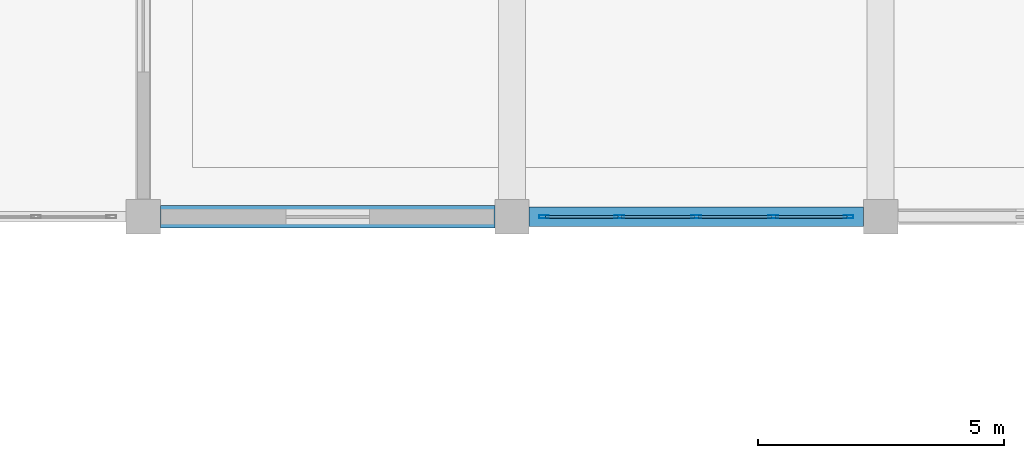
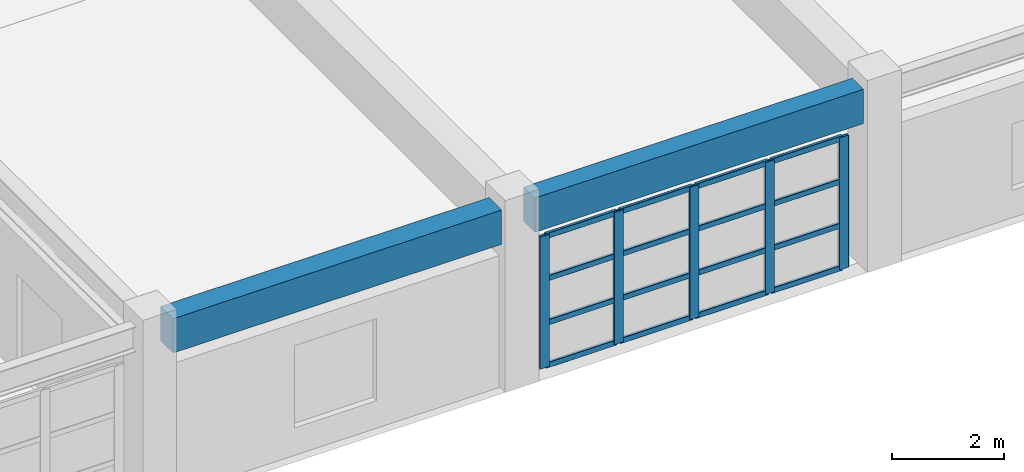
# One storey, part 73 of 132: 21 members, 2 beams, 1 element without a shape of its own.
"""IFC4 building model written with IfcOpenShell, lengths in metres."""

from ifc_helpers import new_model, si_unit, direction, frame, origin, origin_2d, place, context, subcontext, project, spatial, rectangle, hollow_rectangle, extrude, material, material_profile, profile_set, type_object, element, aggregate, save


model = new_model("IFC4")

# Units and contexts
model_context = context("Model", 3, precision=1e-05, world=origin(), true_north=direction((0.0, 1.0)))
body_context = subcontext(model_context, "Body", "Model", "MODEL_VIEW")
ifc_project = project(units=[si_unit("LENGTHUNIT", "METRE"), si_unit("AREAUNIT", "SQUARE_METRE"), si_unit("VOLUMEUNIT", "CUBIC_METRE"), si_unit("PLANEANGLEUNIT", "RADIAN"), si_unit("MASSUNIT", "GRAM", prefix="KILO")], contexts=[model_context])

# Site, building, storey
site_placement = place(None, origin())
site = spatial("IfcSite", under=ifc_project, at=site_placement, CompositionType="ELEMENT")
building_placement = place(site_placement, origin())
building = spatial("IfcBuilding", under=site, at=building_placement, Name="Qasida Concert Hall", CompositionType="ELEMENT")
storey_placement = place(building_placement, frame((0.0, 0.0, 4.800048828125)))
storey = spatial("IfcBuildingStorey", under=building, at=storey_placement, Name="L01", CompositionType="ELEMENT", Elevation=4.800048828125)

# Beams
ifc_material_1 = material(Name="Concrete C40/50", Category="concrete")
ifc_material_profile_1 = material_profile(ifc_material_1, rectangle(XDim=0.39990234375, YDim=0.75, at=origin_2d()), Name="RC 400x750")
ifc_profile_set_1 = profile_set([ifc_material_profile_1], Name="Concrete C40/50")
beam_type_1 = type_object("IfcBeamType", Name="BM-SP1", PredefinedType="SPANDREL", material=ifc_profile_set_1)
beam_1_placement = place(storey_placement, frame((135.35009765625, 75.0, 3.544921875), z_axis=(1.0, 0.0, 0.0), x_axis=(0.0, 1.0, 0.0)))
element("IfcBeam", 1, at=beam_1_placement, inside=storey, type_object=beam_type_1, Name="Primary girder 0979", PredefinedType="SPANDREL", context=body_context, shape_type="SweptSolid", body=[
    extrude(rectangle(XDim=0.39990234375, YDim=0.75, at=origin_2d()), origin(), (0.0, 0.0, 1.0), 6.7998046875),
])
ifc_material_profile_2 = material_profile(ifc_material_1, rectangle(XDim=0.449951171875, YDim=0.75, at=origin_2d()), Name="RC 450x750")
ifc_profile_set_2 = profile_set([ifc_material_profile_2], Name="Concrete C40/50")
beam_type_2 = type_object("IfcBeamType", Name="BM-SP4", PredefinedType="SPANDREL", material=ifc_profile_set_2)
beam_2_placement = place(storey_placement, frame((127.85009765625, 75.0, 3.544921875), z_axis=(1.0, 0.0, 0.0), x_axis=(0.0, 1.0, 0.0)))
element("IfcBeam", 2, at=beam_2_placement, inside=storey, type_object=beam_type_2, Name="Primary girder 0978", PredefinedType="SPANDREL", context=body_context, shape_type="SweptSolid", body=[
    extrude(rectangle(XDim=0.449951171875, YDim=0.75, at=origin_2d()), origin(), (0.0, 0.0, 1.0), 6.7998046875),
])

# Curtain wall, members
ifc_material_2 = material(Name="Architectural bronze-anodized aluminium and low-E glass", Category="aluminium")
curtain_wall_type = type_object("IfcCurtainWallType", Name="CW-03", PredefinedType="NOTDEFINED", material=ifc_material_2)
curtain_wall_placement = place(storey_placement, origin())
curtain_wall = element("IfcCurtainWall", 3, at=curtain_wall_placement, inside=storey, type_object=curtain_wall_type, Name="L01 curtain wall CW-03 0162", PredefinedType="NOTDEFINED")
ifc_material_3 = material(Name="Architectural bronze-anodized aluminium EN AW-6063", Category="aluminium")
ifc_material_profile_3 = material_profile(ifc_material_3, hollow_rectangle(XDim=0.06494140625, YDim=0.199951171875, WallThickness=0.0048828125, InnerFilletRadius=0.0048828125, OuterFilletRadius=0.010009765625, at=origin_2d()), Name="CWM 200x65x5")
ifc_profile_set_3 = profile_set([ifc_material_profile_3], Name="Architectural bronze-anodized aluminium EN AW-6063")
member_type_1 = type_object("IfcMemberType", Name="MB-CWM-2", PredefinedType="MULLION", material=ifc_profile_set_3)
member_1_placement = place(storey_placement, frame((135.652587890625, 75.0, 0.0), z_axis=(0.0, 0.0, 1.0), x_axis=(0.0, 1.0, 0.0)))
member_1 = element("IfcMember", 4, at=member_1_placement, type_object=member_type_1, Name="CW-03 mullion 1", PredefinedType="MULLION", context=body_context, shape_type="SweptSolid", body=[
    extrude(hollow_rectangle(XDim=0.06494140625, YDim=0.199951171875, WallThickness=0.0048828125, InnerFilletRadius=0.0048828125, OuterFilletRadius=0.010009765625, at=origin_2d()), origin(), (0.0, 0.0, 1.0), 2.889892578125),
])
member_2_placement = place(storey_placement, frame((137.18505859375, 75.0, 0.0), z_axis=(0.0, 0.0, 1.0), x_axis=(0.0, 1.0, 0.0)))
member_2 = element("IfcMember", 5, at=member_2_placement, type_object=member_type_1, Name="CW-03 mullion 2", PredefinedType="MULLION", context=body_context, shape_type="SweptSolid", body=[
    extrude(hollow_rectangle(XDim=0.06494140625, YDim=0.199951171875, WallThickness=0.0048828125, InnerFilletRadius=0.0048828125, OuterFilletRadius=0.010009765625, at=origin_2d()), origin(), (0.0, 0.0, 1.0), 2.889892578125),
])
member_3_placement = place(storey_placement, frame((138.75, 75.0, 0.0), z_axis=(0.0, 0.0, 1.0), x_axis=(0.0, 1.0, 0.0)))
member_3 = element("IfcMember", 6, at=member_3_placement, type_object=member_type_1, Name="CW-03 mullion 3", PredefinedType="MULLION", context=body_context, shape_type="SweptSolid", body=[
    extrude(hollow_rectangle(XDim=0.06494140625, YDim=0.199951171875, WallThickness=0.0048828125, InnerFilletRadius=0.0048828125, OuterFilletRadius=0.010009765625, at=origin_2d()), origin(), (0.0, 0.0, 1.0), 2.889892578125),
])
member_4_placement = place(storey_placement, frame((140.31494140625, 75.0, 0.0), z_axis=(0.0, 0.0, 1.0), x_axis=(0.0, 1.0, 0.0)))
member_4 = element("IfcMember", 7, at=member_4_placement, type_object=member_type_1, Name="CW-03 mullion 4", PredefinedType="MULLION", context=body_context, shape_type="SweptSolid", body=[
    extrude(hollow_rectangle(XDim=0.06494140625, YDim=0.199951171875, WallThickness=0.0048828125, InnerFilletRadius=0.0048828125, OuterFilletRadius=0.010009765625, at=origin_2d()), origin(), (0.0, 0.0, 1.0), 2.889892578125),
])
member_5_placement = place(storey_placement, frame((141.847412109375, 75.0, 0.0), z_axis=(0.0, 0.0, 1.0), x_axis=(0.0, 1.0, 0.0)))
member_5 = element("IfcMember", 8, at=member_5_placement, type_object=member_type_1, Name="CW-03 mullion 5", PredefinedType="MULLION", context=body_context, shape_type="SweptSolid", body=[
    extrude(hollow_rectangle(XDim=0.06494140625, YDim=0.199951171875, WallThickness=0.0048828125, InnerFilletRadius=0.0048828125, OuterFilletRadius=0.010009765625, at=origin_2d()), origin(), (0.0, 0.0, 1.0), 2.889892578125),
])
ifc_material_profile_4 = material_profile(ifc_material_3, hollow_rectangle(XDim=0.06005859375, YDim=0.1201171875, WallThickness=0.00390625, InnerFilletRadius=0.00390625, OuterFilletRadius=0.008056640625, at=origin_2d()), Name="CWT 120x60x4")
ifc_profile_set_4 = profile_set([ifc_material_profile_4], Name="Architectural bronze-anodized aluminium EN AW-6063")
member_type_2 = type_object("IfcMemberType", Name="MB-CWT-2", PredefinedType="USERDEFINED", material=ifc_profile_set_4)
member_6_placement = place(storey_placement, frame((135.68505859375, 75.0, 0.030029296875), z_axis=(1.0, 0.0, 0.0), x_axis=(0.0, 1.0, 0.0)))
member_6 = element("IfcMember", 9, at=member_6_placement, type_object=member_type_2, Name="CW-03 transom 1.1", ObjectType="TRANSOM", PredefinedType="USERDEFINED", context=body_context, shape_type="SweptSolid", body=[
    extrude(hollow_rectangle(XDim=0.06005859375, YDim=0.1201171875, WallThickness=0.00390625, InnerFilletRadius=0.00390625, OuterFilletRadius=0.008056640625, at=origin_2d()), origin(), (0.0, 0.0, 1.0), 1.467529296875),
])
member_7_placement = place(storey_placement, frame((135.68505859375, 75.0, 0.963134765625), z_axis=(1.0, 0.0, 0.0), x_axis=(0.0, 1.0, 0.0)))
member_7 = element("IfcMember", 10, at=member_7_placement, type_object=member_type_2, Name="CW-03 transom 1.2", ObjectType="TRANSOM", PredefinedType="USERDEFINED", context=body_context, shape_type="SweptSolid", body=[
    extrude(hollow_rectangle(XDim=0.06005859375, YDim=0.1201171875, WallThickness=0.00390625, InnerFilletRadius=0.00390625, OuterFilletRadius=0.008056640625, at=origin_2d()), origin(), (0.0, 0.0, 1.0), 1.467529296875),
])
member_8_placement = place(storey_placement, frame((135.68505859375, 75.0, 1.9267578125), z_axis=(1.0, 0.0, 0.0), x_axis=(0.0, 1.0, 0.0)))
member_8 = element("IfcMember", 11, at=member_8_placement, type_object=member_type_2, Name="CW-03 transom 1.3", ObjectType="TRANSOM", PredefinedType="USERDEFINED", context=body_context, shape_type="SweptSolid", body=[
    extrude(hollow_rectangle(XDim=0.06005859375, YDim=0.1201171875, WallThickness=0.00390625, InnerFilletRadius=0.00390625, OuterFilletRadius=0.008056640625, at=origin_2d()), origin(), (0.0, 0.0, 1.0), 1.467529296875),
])
member_9_placement = place(storey_placement, frame((135.68505859375, 75.0, 2.85986328125), z_axis=(1.0, 0.0, 0.0), x_axis=(0.0, 1.0, 0.0)))
member_9 = element("IfcMember", 12, at=member_9_placement, type_object=member_type_2, Name="CW-03 transom 1.4", ObjectType="TRANSOM", PredefinedType="USERDEFINED", context=body_context, shape_type="SweptSolid", body=[
    extrude(hollow_rectangle(XDim=0.06005859375, YDim=0.1201171875, WallThickness=0.00390625, InnerFilletRadius=0.00390625, OuterFilletRadius=0.008056640625, at=origin_2d()), origin(), (0.0, 0.0, 1.0), 1.467529296875),
])
member_10_placement = place(storey_placement, frame((137.217529296875, 75.0, 0.030029296875), z_axis=(1.0, 0.0, 0.0), x_axis=(0.0, 1.0, 0.0)))
member_10 = element("IfcMember", 13, at=member_10_placement, type_object=member_type_2, Name="CW-03 transom 2.1", ObjectType="TRANSOM", PredefinedType="USERDEFINED", context=body_context, shape_type="SweptSolid", body=[
    extrude(hollow_rectangle(XDim=0.06005859375, YDim=0.1201171875, WallThickness=0.00390625, InnerFilletRadius=0.00390625, OuterFilletRadius=0.008056640625, at=origin_2d()), origin(), (0.0, 0.0, 1.0), 1.5),
])
member_11_placement = place(storey_placement, frame((137.217529296875, 75.0, 0.963134765625), z_axis=(1.0, 0.0, 0.0), x_axis=(0.0, 1.0, 0.0)))
member_11 = element("IfcMember", 14, at=member_11_placement, type_object=member_type_2, Name="CW-03 transom 2.2", ObjectType="TRANSOM", PredefinedType="USERDEFINED", context=body_context, shape_type="SweptSolid", body=[
    extrude(hollow_rectangle(XDim=0.06005859375, YDim=0.1201171875, WallThickness=0.00390625, InnerFilletRadius=0.00390625, OuterFilletRadius=0.008056640625, at=origin_2d()), origin(), (0.0, 0.0, 1.0), 1.5),
])
member_12_placement = place(storey_placement, frame((137.217529296875, 75.0, 1.9267578125), z_axis=(1.0, 0.0, 0.0), x_axis=(0.0, 1.0, 0.0)))
member_12 = element("IfcMember", 15, at=member_12_placement, type_object=member_type_2, Name="CW-03 transom 2.3", ObjectType="TRANSOM", PredefinedType="USERDEFINED", context=body_context, shape_type="SweptSolid", body=[
    extrude(hollow_rectangle(XDim=0.06005859375, YDim=0.1201171875, WallThickness=0.00390625, InnerFilletRadius=0.00390625, OuterFilletRadius=0.008056640625, at=origin_2d()), origin(), (0.0, 0.0, 1.0), 1.5),
])
member_13_placement = place(storey_placement, frame((137.217529296875, 75.0, 2.85986328125), z_axis=(1.0, 0.0, 0.0), x_axis=(0.0, 1.0, 0.0)))
member_13 = element("IfcMember", 16, at=member_13_placement, type_object=member_type_2, Name="CW-03 transom 2.4", ObjectType="TRANSOM", PredefinedType="USERDEFINED", context=body_context, shape_type="SweptSolid", body=[
    extrude(hollow_rectangle(XDim=0.06005859375, YDim=0.1201171875, WallThickness=0.00390625, InnerFilletRadius=0.00390625, OuterFilletRadius=0.008056640625, at=origin_2d()), origin(), (0.0, 0.0, 1.0), 1.5),
])
member_14_placement = place(storey_placement, frame((138.782470703125, 75.0, 0.030029296875), z_axis=(1.0, 0.0, 0.0), x_axis=(0.0, 1.0, 0.0)))
member_14 = element("IfcMember", 17, at=member_14_placement, type_object=member_type_2, Name="CW-03 transom 3.1", ObjectType="TRANSOM", PredefinedType="USERDEFINED", context=body_context, shape_type="SweptSolid", body=[
    extrude(hollow_rectangle(XDim=0.06005859375, YDim=0.1201171875, WallThickness=0.00390625, InnerFilletRadius=0.00390625, OuterFilletRadius=0.008056640625, at=origin_2d()), origin(), (0.0, 0.0, 1.0), 1.5),
])
member_15_placement = place(storey_placement, frame((138.782470703125, 75.0, 0.963134765625), z_axis=(1.0, 0.0, 0.0), x_axis=(0.0, 1.0, 0.0)))
member_15 = element("IfcMember", 18, at=member_15_placement, type_object=member_type_2, Name="CW-03 transom 3.2", ObjectType="TRANSOM", PredefinedType="USERDEFINED", context=body_context, shape_type="SweptSolid", body=[
    extrude(hollow_rectangle(XDim=0.06005859375, YDim=0.1201171875, WallThickness=0.00390625, InnerFilletRadius=0.00390625, OuterFilletRadius=0.008056640625, at=origin_2d()), origin(), (0.0, 0.0, 1.0), 1.5),
])
member_16_placement = place(storey_placement, frame((138.782470703125, 75.0, 1.9267578125), z_axis=(1.0, 0.0, 0.0), x_axis=(0.0, 1.0, 0.0)))
member_16 = element("IfcMember", 19, at=member_16_placement, type_object=member_type_2, Name="CW-03 transom 3.3", ObjectType="TRANSOM", PredefinedType="USERDEFINED", context=body_context, shape_type="SweptSolid", body=[
    extrude(hollow_rectangle(XDim=0.06005859375, YDim=0.1201171875, WallThickness=0.00390625, InnerFilletRadius=0.00390625, OuterFilletRadius=0.008056640625, at=origin_2d()), origin(), (0.0, 0.0, 1.0), 1.5),
])
member_17_placement = place(storey_placement, frame((138.782470703125, 75.0, 2.85986328125), z_axis=(1.0, 0.0, 0.0), x_axis=(0.0, 1.0, 0.0)))
member_17 = element("IfcMember", 20, at=member_17_placement, type_object=member_type_2, Name="CW-03 transom 3.4", ObjectType="TRANSOM", PredefinedType="USERDEFINED", context=body_context, shape_type="SweptSolid", body=[
    extrude(hollow_rectangle(XDim=0.06005859375, YDim=0.1201171875, WallThickness=0.00390625, InnerFilletRadius=0.00390625, OuterFilletRadius=0.008056640625, at=origin_2d()), origin(), (0.0, 0.0, 1.0), 1.5),
])
member_18_placement = place(storey_placement, frame((140.347412109375, 75.0, 0.030029296875), z_axis=(1.0, 0.0, 0.0), x_axis=(0.0, 1.0, 0.0)))
member_18 = element("IfcMember", 21, at=member_18_placement, type_object=member_type_2, Name="CW-03 transom 4.1", ObjectType="TRANSOM", PredefinedType="USERDEFINED", context=body_context, shape_type="SweptSolid", body=[
    extrude(hollow_rectangle(XDim=0.06005859375, YDim=0.1201171875, WallThickness=0.00390625, InnerFilletRadius=0.00390625, OuterFilletRadius=0.008056640625, at=origin_2d()), origin(), (0.0, 0.0, 1.0), 1.467529296875),
])
member_19_placement = place(storey_placement, frame((140.347412109375, 75.0, 0.963134765625), z_axis=(1.0, 0.0, 0.0), x_axis=(0.0, 1.0, 0.0)))
member_19 = element("IfcMember", 22, at=member_19_placement, type_object=member_type_2, Name="CW-03 transom 4.2", ObjectType="TRANSOM", PredefinedType="USERDEFINED", context=body_context, shape_type="SweptSolid", body=[
    extrude(hollow_rectangle(XDim=0.06005859375, YDim=0.1201171875, WallThickness=0.00390625, InnerFilletRadius=0.00390625, OuterFilletRadius=0.008056640625, at=origin_2d()), origin(), (0.0, 0.0, 1.0), 1.467529296875),
])
member_20_placement = place(storey_placement, frame((140.347412109375, 75.0, 1.9267578125), z_axis=(1.0, 0.0, 0.0), x_axis=(0.0, 1.0, 0.0)))
member_20 = element("IfcMember", 23, at=member_20_placement, type_object=member_type_2, Name="CW-03 transom 4.3", ObjectType="TRANSOM", PredefinedType="USERDEFINED", context=body_context, shape_type="SweptSolid", body=[
    extrude(hollow_rectangle(XDim=0.06005859375, YDim=0.1201171875, WallThickness=0.00390625, InnerFilletRadius=0.00390625, OuterFilletRadius=0.008056640625, at=origin_2d()), origin(), (0.0, 0.0, 1.0), 1.467529296875),
])
member_21_placement = place(storey_placement, frame((140.347412109375, 75.0, 2.85986328125), z_axis=(1.0, 0.0, 0.0), x_axis=(0.0, 1.0, 0.0)))
member_21 = element("IfcMember", 24, at=member_21_placement, type_object=member_type_2, Name="CW-03 transom 4.4", ObjectType="TRANSOM", PredefinedType="USERDEFINED", context=body_context, shape_type="SweptSolid", body=[
    extrude(hollow_rectangle(XDim=0.06005859375, YDim=0.1201171875, WallThickness=0.00390625, InnerFilletRadius=0.00390625, OuterFilletRadius=0.008056640625, at=origin_2d()), origin(), (0.0, 0.0, 1.0), 1.467529296875),
])
aggregate(curtain_wall, [member_1, member_2, member_3, member_4, member_5, member_6, member_7, member_8, member_9, member_10, member_11, member_12, member_13, member_14, member_15, member_16, member_17, member_18, member_19, member_20, member_21])

save(model, "model.ifc")
